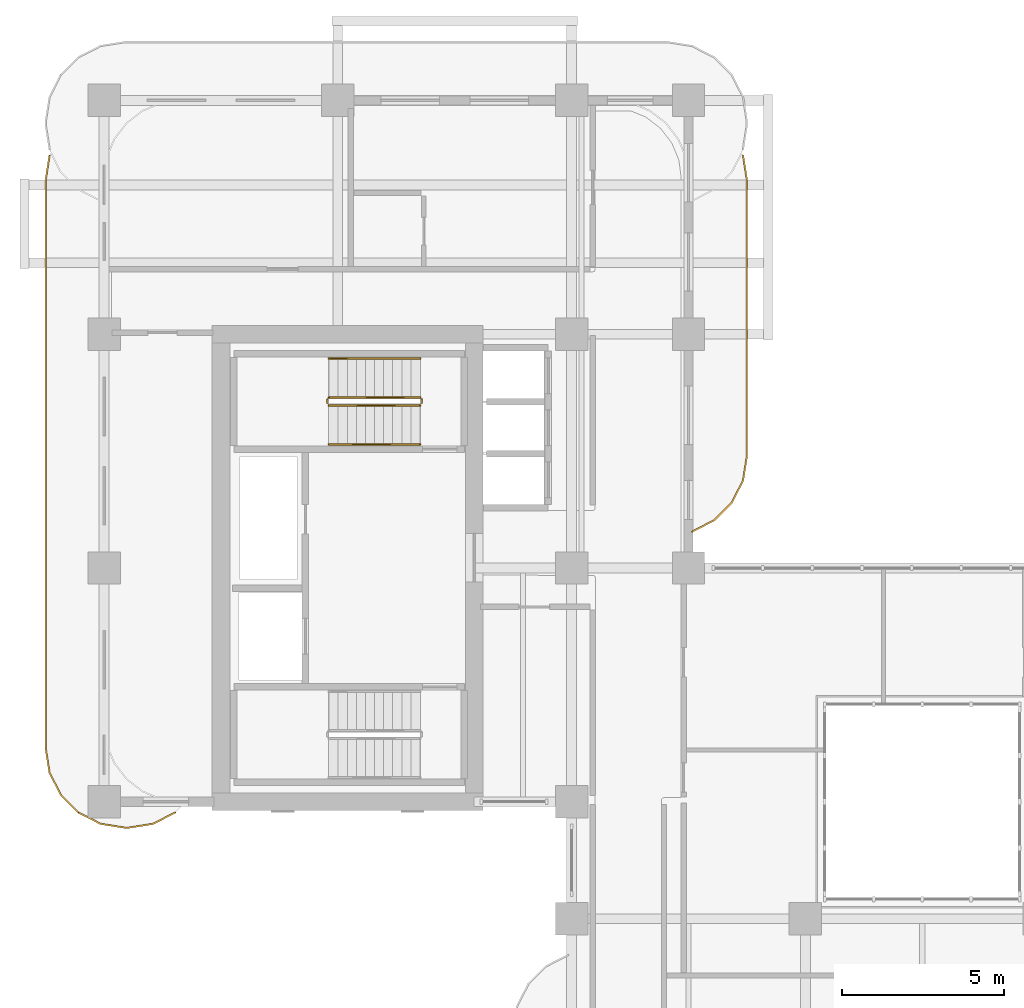
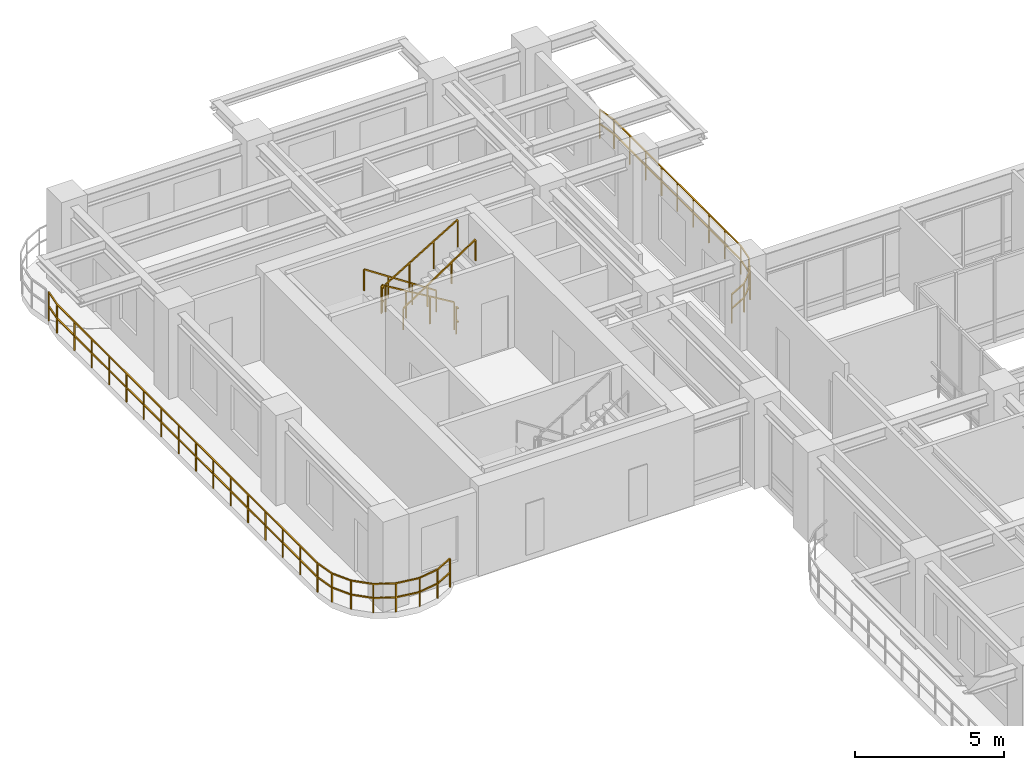
# One storey, part 20 of 21: 8 railings.
"""IFC4 building model written with IfcOpenShell, lengths in metres."""

from ifc_helpers import new_model, si_unit, derived_unit, direction, frame, origin, origin_2d, place, context, subcontext, project, spatial, rectangle, extrude, material, type_object, element, save


model = new_model("IFC4")

# Units and contexts
model_context = context("Model", 3, precision=1e-05, world=origin(), true_north=direction((0.0, 1.0)))
body_context = subcontext(model_context, "Body", "Model", "MODEL_VIEW")
ifc_project = project(units=[si_unit("LENGTHUNIT", "METRE"), si_unit("AREAUNIT", "SQUARE_METRE"), si_unit("VOLUMEUNIT", "CUBIC_METRE"), si_unit("PLANEANGLEUNIT", "RADIAN"), si_unit("MASSUNIT", "GRAM", prefix="KILO"), si_unit("THERMODYNAMICTEMPERATUREUNIT", "KELVIN"), si_unit("POWERUNIT", "WATT"), derived_unit("THERMALTRANSMITTANCEUNIT", [(si_unit("POWERUNIT", "WATT"), 1), (si_unit("AREAUNIT", "SQUARE_METRE"), -1), (si_unit("THERMODYNAMICTEMPERATUREUNIT", "KELVIN"), -1)])], contexts=[model_context])

# Site, building, storey
site_placement = place(None, origin())
site = spatial("IfcSite", under=ifc_project, at=site_placement, CompositionType="ELEMENT")
building_placement = place(site_placement, origin())
building = spatial("IfcBuilding", under=site, at=building_placement, Name="Zahravan Archway Hotel and Residences", CompositionType="ELEMENT")
storey_placement = place(building_placement, frame((0.0, 0.0, 141.39990234375)))
storey = spatial("IfcBuildingStorey", under=building, at=storey_placement, Name="L35", CompositionType="ELEMENT", Elevation=141.39990234375)

# Railings
ifc_material_1 = material(Name="Bronze & Laminated Glass Balustrade", Category="glass")
railing_type_1 = type_object("IfcRailingType", Name="RL-BAL-1200", PredefinedType="BALUSTRADE", material=ifc_material_1)
railing_1_placement = place(storey_placement, frame((2.190185546875, 24.867919921875, 0.0)))
element("IfcRailing", 1, at=railing_1_placement, inside=storey, type_object=railing_type_1, Name="L35 Balustrade RL-SLB-BAL-L35-WB-1", PredefinedType="BALUSTRADE", context=body_context, shape_type="SweptSolid", body=[
    extrude(rectangle(XDim=0.048095703125, YDim=0.048095703125, at=origin_2d()), frame((0.0, 0.0, 1.17578125), z_axis=(-0.891090529897, -0.453825591531, 0.0), x_axis=(0.453825591531, -0.891090529897, 0.0)), (0.0, 0.0, 1.0), 0.7666015625),
    extrude(rectangle(XDim=0.048095703125, YDim=0.048095703125, at=origin_2d()), frame((0.0, 0.0, 0.60009765625), z_axis=(-0.891090529897, -0.453825591531, 0.0), x_axis=(0.453825591531, -0.891090529897, 0.0)), (0.0, 0.0, 1.0), 0.7666015625),
    extrude(rectangle(XDim=0.048095703125, YDim=0.048095703125, at=origin_2d()), frame((-0.68310546875, -0.347900390625, 1.17578125), z_axis=(-0.987646484274, -0.156698507018, 0.0), x_axis=(0.156698507018, -0.987646484274, 0.0)), (0.0, 0.0, 1.0), 0.7666015625),
    extrude(rectangle(XDim=0.048095703125, YDim=0.048095703125, at=origin_2d()), frame((-0.68310546875, -0.347900390625, 0.60009765625), z_axis=(-0.987646484274, -0.156698507018, 0.0), x_axis=(0.156698507018, -0.987646484274, 0.0)), (0.0, 0.0, 1.0), 0.7666015625),
    extrude(rectangle(XDim=0.048095703125, YDim=0.048095703125, at=origin_2d()), frame((-1.440185546875, -0.468017578125, 1.17578125), z_axis=(-1.0, 0.0, 0.0), x_axis=(0.0, -1.0, 0.0)), (0.0, 0.0, 1.0), 0.10009765625),
    extrude(rectangle(XDim=0.048095703125, YDim=0.048095703125, at=origin_2d()), frame((-1.440185546875, -0.468017578125, 0.60009765625), z_axis=(-1.0, 0.0, 0.0), x_axis=(0.0, -1.0, 0.0)), (0.0, 0.0, 1.0), 0.10009765625),
    extrude(rectangle(XDim=0.048095703125, YDim=0.048095703125, at=origin_2d()), frame((-1.540283203125, -0.468017578125, 1.17578125), z_axis=(-0.987646484274, 0.156698507018, 0.0), x_axis=(-0.156698507018, -0.987646484274, 0.0)), (0.0, 0.0, 1.0), 0.7666015625),
    extrude(rectangle(XDim=0.048095703125, YDim=0.048095703125, at=origin_2d()), frame((-1.540283203125, -0.468017578125, 0.60009765625), z_axis=(-0.987646484274, 0.156698507018, 0.0), x_axis=(-0.156698507018, -0.987646484274, 0.0)), (0.0, 0.0, 1.0), 0.7666015625),
    extrude(rectangle(XDim=0.048095703125, YDim=0.048095703125, at=origin_2d()), frame((-2.29736328125, -0.347900390625, 1.17578125), z_axis=(-0.891024909783, 0.453954414172, 0.0), x_axis=(-0.453954414172, -0.891024909783, 0.0)), (0.0, 0.0, 1.0), 0.766357421875),
    extrude(rectangle(XDim=0.048095703125, YDim=0.048095703125, at=origin_2d()), frame((-2.29736328125, -0.347900390625, 0.60009765625), z_axis=(-0.891024909783, 0.453954414172, 0.0), x_axis=(-0.453954414172, -0.891024909783, 0.0)), (0.0, 0.0, 1.0), 0.766357421875),
    extrude(rectangle(XDim=0.048095703125, YDim=0.048095703125, at=origin_2d()), frame((-2.980224609375, 0.0, 1.17578125), z_axis=(-0.707106781187, 0.707106781187, 0.0), x_axis=(-0.707106781187, -0.707106781187, 0.0)), (0.0, 0.0, 1.0), 0.7666015625),
    extrude(rectangle(XDim=0.048095703125, YDim=0.048095703125, at=origin_2d()), frame((-2.980224609375, 0.0, 0.60009765625), z_axis=(-0.707106781187, 0.707106781187, 0.0), x_axis=(-0.707106781187, -0.707106781187, 0.0)), (0.0, 0.0, 1.0), 0.7666015625),
    extrude(rectangle(XDim=0.048095703125, YDim=0.048095703125, at=origin_2d()), frame((-3.522216796875, 0.5419921875, 1.17578125), z_axis=(-0.454078418624, 0.890961721815, 0.0), x_axis=(-0.890961721815, -0.454078418624, 0.0)), (0.0, 0.0, 1.0), 0.7666015625),
    extrude(rectangle(XDim=0.048095703125, YDim=0.048095703125, at=origin_2d()), frame((-3.522216796875, 0.5419921875, 0.60009765625), z_axis=(-0.454078418624, 0.890961721815, 0.0), x_axis=(-0.890961721815, -0.454078418624, 0.0)), (0.0, 0.0, 1.0), 0.7666015625),
    extrude(rectangle(XDim=0.048095703125, YDim=0.048095703125, at=origin_2d()), frame((-3.870361328125, 1.22509765625, 1.17578125), z_axis=(-0.156387811283, 0.987695728695, 0.0), x_axis=(-0.987695728695, -0.156387811283, 0.0)), (0.0, 0.0, 1.0), 0.7666015625),
    extrude(rectangle(XDim=0.048095703125, YDim=0.048095703125, at=origin_2d()), frame((-3.870361328125, 1.22509765625, 0.60009765625), z_axis=(-0.156387811283, 0.987695728695, 0.0), x_axis=(-0.987695728695, -0.156387811283, 0.0)), (0.0, 0.0, 1.0), 0.7666015625),
    extrude(rectangle(XDim=0.048095703125, YDim=0.048095703125, at=origin_2d()), frame((-3.990234375, 1.982177734375, 1.17578125), z_axis=(0.0, 1.0, 0.0), x_axis=(-1.0, 0.0, 0.0)), (0.0, 0.0, 1.0), 17.5),
    extrude(rectangle(XDim=0.048095703125, YDim=0.048095703125, at=origin_2d()), frame((-3.990234375, 1.982177734375, 0.60009765625), z_axis=(0.0, 1.0, 0.0), x_axis=(-1.0, 0.0, 0.0)), (0.0, 0.0, 1.0), 17.5),
    extrude(rectangle(XDim=0.048095703125, YDim=0.048095703125, at=origin_2d()), frame((-3.990234375, 19.482177734375, 1.17578125), z_axis=(0.156387811283, 0.987695728695, 0.0), x_axis=(-0.987695728695, 0.156387811283, 0.0)), (0.0, 0.0, 1.0), 0.7666015625),
    extrude(rectangle(XDim=0.048095703125, YDim=0.048095703125, at=origin_2d()), frame((-3.990234375, 19.482177734375, 0.60009765625), z_axis=(0.156387811283, 0.987695728695, 0.0), x_axis=(-0.987695728695, 0.156387811283, 0.0)), (0.0, 0.0, 1.0), 0.7666015625),
    extrude(rectangle(XDim=0.0419921875, YDim=0.0419921875, at=origin_2d()), origin(), (0.0, 0.0, 1.0), 1.15185546875),
    extrude(rectangle(XDim=0.0419921875, YDim=0.0419921875, at=origin_2d()), frame((-0.68310546875, -0.347900390625, 0.0)), (0.0, 0.0, 1.0), 1.15185546875),
    extrude(rectangle(XDim=0.0419921875, YDim=0.0419921875, at=origin_2d()), frame((-1.440185546875, -0.468017578125, 0.0)), (0.0, 0.0, 1.0), 1.15185546875),
    extrude(rectangle(XDim=0.0419921875, YDim=0.0419921875, at=origin_2d()), frame((-2.29736328125, -0.347900390625, 0.0)), (0.0, 0.0, 1.0), 1.15185546875),
    extrude(rectangle(XDim=0.0419921875, YDim=0.0419921875, at=origin_2d()), frame((-2.980224609375, 0.0, 0.0)), (0.0, 0.0, 1.0), 1.15185546875),
    extrude(rectangle(XDim=0.0419921875, YDim=0.0419921875, at=origin_2d()), frame((-3.522216796875, 0.5419921875, 0.0)), (0.0, 0.0, 1.0), 1.15185546875),
    extrude(rectangle(XDim=0.0419921875, YDim=0.0419921875, at=origin_2d()), frame((-3.870361328125, 1.22509765625, 0.0)), (0.0, 0.0, 1.0), 1.15185546875),
    extrude(rectangle(XDim=0.0419921875, YDim=0.0419921875, at=origin_2d()), frame((-3.990234375, 1.982177734375, 0.0)), (0.0, 0.0, 1.0), 1.15185546875),
    extrude(rectangle(XDim=0.0419921875, YDim=0.0419921875, at=origin_2d()), frame((-3.990234375, 3.14892578125, 0.0)), (0.0, 0.0, 1.0), 1.15185546875),
    extrude(rectangle(XDim=0.0419921875, YDim=0.0419921875, at=origin_2d()), frame((-3.990234375, 4.3154296875, 0.0)), (0.0, 0.0, 1.0), 1.15185546875),
    extrude(rectangle(XDim=0.0419921875, YDim=0.0419921875, at=origin_2d()), frame((-3.990234375, 5.482177734375, 0.0)), (0.0, 0.0, 1.0), 1.15185546875),
    extrude(rectangle(XDim=0.0419921875, YDim=0.0419921875, at=origin_2d()), frame((-3.990234375, 6.64892578125, 0.0)), (0.0, 0.0, 1.0), 1.15185546875),
    extrude(rectangle(XDim=0.0419921875, YDim=0.0419921875, at=origin_2d()), frame((-3.990234375, 7.8154296875, 0.0)), (0.0, 0.0, 1.0), 1.15185546875),
    extrude(rectangle(XDim=0.0419921875, YDim=0.0419921875, at=origin_2d()), frame((-3.990234375, 8.982177734375, 0.0)), (0.0, 0.0, 1.0), 1.15185546875),
    extrude(rectangle(XDim=0.0419921875, YDim=0.0419921875, at=origin_2d()), frame((-3.990234375, 10.14892578125, 0.0)), (0.0, 0.0, 1.0), 1.15185546875),
    extrude(rectangle(XDim=0.0419921875, YDim=0.0419921875, at=origin_2d()), frame((-3.990234375, 11.3154296875, 0.0)), (0.0, 0.0, 1.0), 1.15185546875),
    extrude(rectangle(XDim=0.0419921875, YDim=0.0419921875, at=origin_2d()), frame((-3.990234375, 12.482177734375, 0.0)), (0.0, 0.0, 1.0), 1.15185546875),
    extrude(rectangle(XDim=0.0419921875, YDim=0.0419921875, at=origin_2d()), frame((-3.990234375, 13.64892578125, 0.0)), (0.0, 0.0, 1.0), 1.15185546875),
    extrude(rectangle(XDim=0.0419921875, YDim=0.0419921875, at=origin_2d()), frame((-3.990234375, 14.8154296875, 0.0)), (0.0, 0.0, 1.0), 1.15185546875),
    extrude(rectangle(XDim=0.0419921875, YDim=0.0419921875, at=origin_2d()), frame((-3.990234375, 15.982177734375, 0.0)), (0.0, 0.0, 1.0), 1.15185546875),
    extrude(rectangle(XDim=0.0419921875, YDim=0.0419921875, at=origin_2d()), frame((-3.990234375, 17.14892578125, 0.0)), (0.0, 0.0, 1.0), 1.15185546875),
    extrude(rectangle(XDim=0.0419921875, YDim=0.0419921875, at=origin_2d()), frame((-3.990234375, 18.3154296875, 0.0)), (0.0, 0.0, 1.0), 1.15185546875),
    extrude(rectangle(XDim=0.0419921875, YDim=0.0419921875, at=origin_2d()), frame((-3.990234375, 19.482177734375, 0.0)), (0.0, 0.0, 1.0), 1.15185546875),
    extrude(rectangle(XDim=0.0419921875, YDim=0.0419921875, at=origin_2d()), frame((-3.870361328125, 20.2392578125, 0.0)), (0.0, 0.0, 1.0), 1.15185546875),
])
railing_2_placement = place(storey_placement, frame((19.68017578125, 45.107177734375, 0.0)))
element("IfcRailing", 2, at=railing_2_placement, inside=storey, type_object=railing_type_1, Name="L35 Balustrade RL-SLB-BAL-L35-EB-1", PredefinedType="BALUSTRADE", context=body_context, shape_type="SweptSolid", body=[
    extrude(rectangle(XDim=0.048095703125, YDim=0.048095703125, at=origin_2d()), frame((0.0, 0.0, 1.17578125), z_axis=(0.156387811283, -0.987695728695, 0.0), x_axis=(0.987695728695, 0.156387811283, 0.0)), (0.0, 0.0, 1.0), 0.7666015625),
    extrude(rectangle(XDim=0.048095703125, YDim=0.048095703125, at=origin_2d()), frame((0.0, 0.0, 0.60009765625), z_axis=(0.156387811283, -0.987695728695, 0.0), x_axis=(0.987695728695, 0.156387811283, 0.0)), (0.0, 0.0, 1.0), 0.7666015625),
    extrude(rectangle(XDim=0.048095703125, YDim=0.048095703125, at=origin_2d()), frame((0.119873046875, -0.757080078125, 1.17578125), z_axis=(0.0, -1.0, 0.0), x_axis=(1.0, 0.0, 0.0)), (0.0, 0.0, 1.0), 8.5),
    extrude(rectangle(XDim=0.048095703125, YDim=0.048095703125, at=origin_2d()), frame((0.119873046875, -0.757080078125, 0.60009765625), z_axis=(0.0, -1.0, 0.0), x_axis=(1.0, 0.0, 0.0)), (0.0, 0.0, 1.0), 8.5),
    extrude(rectangle(XDim=0.048095703125, YDim=0.048095703125, at=origin_2d()), frame((0.119873046875, -9.257080078125, 1.17578125), z_axis=(-0.156387811283, -0.987695728695, 0.0), x_axis=(0.987695728695, -0.156387811283, 0.0)), (0.0, 0.0, 1.0), 0.7666015625),
    extrude(rectangle(XDim=0.048095703125, YDim=0.048095703125, at=origin_2d()), frame((0.119873046875, -9.257080078125, 0.60009765625), z_axis=(-0.156387811283, -0.987695728695, 0.0), x_axis=(0.987695728695, -0.156387811283, 0.0)), (0.0, 0.0, 1.0), 0.7666015625),
    extrude(rectangle(XDim=0.048095703125, YDim=0.048095703125, at=origin_2d()), frame((0.0, -10.01416015625, 1.17578125), z_axis=(-0.454078418624, -0.890961721815, 0.0), x_axis=(0.890961721815, -0.454078418624, 0.0)), (0.0, 0.0, 1.0), 0.7666015625),
    extrude(rectangle(XDim=0.048095703125, YDim=0.048095703125, at=origin_2d()), frame((0.0, -10.01416015625, 0.60009765625), z_axis=(-0.454078418624, -0.890961721815, 0.0), x_axis=(0.890961721815, -0.454078418624, 0.0)), (0.0, 0.0, 1.0), 0.7666015625),
    extrude(rectangle(XDim=0.048095703125, YDim=0.048095703125, at=origin_2d()), frame((-0.34814453125, -10.697265625, 1.17578125), z_axis=(-0.707106781187, -0.707106781187, 0.0), x_axis=(0.707106781187, -0.707106781187, 0.0)), (0.0, 0.0, 1.0), 0.7666015625),
    extrude(rectangle(XDim=0.048095703125, YDim=0.048095703125, at=origin_2d()), frame((-0.34814453125, -10.697265625, 0.60009765625), z_axis=(-0.707106781187, -0.707106781187, 0.0), x_axis=(0.707106781187, -0.707106781187, 0.0)), (0.0, 0.0, 1.0), 0.7666015625),
    extrude(rectangle(XDim=0.048095703125, YDim=0.048095703125, at=origin_2d()), frame((-0.89013671875, -11.2392578125, 1.17578125), z_axis=(-0.891024909783, -0.453954414172, 0.0), x_axis=(0.453954414172, -0.891024909783, 0.0)), (0.0, 0.0, 1.0), 0.766357421875),
    extrude(rectangle(XDim=0.048095703125, YDim=0.048095703125, at=origin_2d()), frame((-0.89013671875, -11.2392578125, 0.60009765625), z_axis=(-0.891024909783, -0.453954414172, 0.0), x_axis=(0.453954414172, -0.891024909783, 0.0)), (0.0, 0.0, 1.0), 0.766357421875),
    extrude(rectangle(XDim=0.0419921875, YDim=0.0419921875, at=origin_2d()), origin(), (0.0, 0.0, 1.0), 1.15185546875),
    extrude(rectangle(XDim=0.0419921875, YDim=0.0419921875, at=origin_2d()), frame((0.119873046875, -0.757080078125, 0.0)), (0.0, 0.0, 1.0), 1.15185546875),
    extrude(rectangle(XDim=0.0419921875, YDim=0.0419921875, at=origin_2d()), frame((0.119873046875, -1.819580078125, 0.0)), (0.0, 0.0, 1.0), 1.15185546875),
    extrude(rectangle(XDim=0.0419921875, YDim=0.0419921875, at=origin_2d()), frame((0.119873046875, -2.882080078125, 0.0)), (0.0, 0.0, 1.0), 1.15185546875),
    extrude(rectangle(XDim=0.0419921875, YDim=0.0419921875, at=origin_2d()), frame((0.119873046875, -3.944580078125, 0.0)), (0.0, 0.0, 1.0), 1.15185546875),
    extrude(rectangle(XDim=0.0419921875, YDim=0.0419921875, at=origin_2d()), frame((0.119873046875, -5.007080078125, 0.0)), (0.0, 0.0, 1.0), 1.15185546875),
    extrude(rectangle(XDim=0.0419921875, YDim=0.0419921875, at=origin_2d()), frame((0.119873046875, -6.069580078125, 0.0)), (0.0, 0.0, 1.0), 1.15185546875),
    extrude(rectangle(XDim=0.0419921875, YDim=0.0419921875, at=origin_2d()), frame((0.119873046875, -7.132080078125, 0.0)), (0.0, 0.0, 1.0), 1.15185546875),
    extrude(rectangle(XDim=0.0419921875, YDim=0.0419921875, at=origin_2d()), frame((0.119873046875, -8.194580078125, 0.0)), (0.0, 0.0, 1.0), 1.15185546875),
    extrude(rectangle(XDim=0.0419921875, YDim=0.0419921875, at=origin_2d()), frame((0.119873046875, -9.257080078125, 0.0)), (0.0, 0.0, 1.0), 1.15185546875),
    extrude(rectangle(XDim=0.0419921875, YDim=0.0419921875, at=origin_2d()), frame((0.0, -10.01416015625, 0.0)), (0.0, 0.0, 1.0), 1.15185546875),
    extrude(rectangle(XDim=0.0419921875, YDim=0.0419921875, at=origin_2d()), frame((-0.34814453125, -10.697265625, 0.0)), (0.0, 0.0, 1.0), 1.15185546875),
    extrude(rectangle(XDim=0.0419921875, YDim=0.0419921875, at=origin_2d()), frame((-0.89013671875, -11.2392578125, 0.0)), (0.0, 0.0, 1.0), 1.15185546875),
    extrude(rectangle(XDim=0.0419921875, YDim=0.0419921875, at=origin_2d()), frame((-1.572998046875, -11.587158203125, 0.0)), (0.0, 0.0, 1.0), 1.15185546875),
])
ifc_material_2 = material(Name="Painted Tubular Steel", Category="steel")
railing_type_2 = type_object("IfcRailingType", Name="RL-STG-1150", PredefinedType="GUARDRAIL", material=ifc_material_2)
railing_3_placement = place(storey_placement, frame((9.72998046875, 37.64990234375, 0.168212890625)))
element("IfcRailing", 3, at=railing_3_placement, inside=storey, type_object=railing_type_2, Name="L35 ST-B2 stair guard 1", PredefinedType="GUARDRAIL", context=body_context, shape_type="SweptSolid", body=[
    extrude(rectangle(XDim=0.048095703125, YDim=0.048095703125, at=origin_2d()), frame((0.0, 0.0, 1.1259765625), z_axis=(-0.857242210791, 0.0, 0.514913383045), x_axis=(0.0, -1.0, 0.0)), (0.0, 0.0, 1.0), 3.266357421875),
    extrude(rectangle(XDim=0.0419921875, YDim=0.0419921875, at=origin_2d()), origin(), (0.0, 0.0, 1.0), 1.101806640625),
    extrude(rectangle(XDim=0.0419921875, YDim=0.0419921875, at=origin_2d()), frame((-0.933349609375, 0.0, 0.560546875)), (0.0, 0.0, 1.0), 1.101806640625),
    extrude(rectangle(XDim=0.0419921875, YDim=0.0419921875, at=origin_2d()), frame((-1.86669921875, 0.0, 1.121337890625)), (0.0, 0.0, 1.0), 1.101806640625),
    extrude(rectangle(XDim=0.0419921875, YDim=0.0419921875, at=origin_2d()), frame((-2.800048828125, 0.0, 1.681884765625)), (0.0, 0.0, 1.0), 1.101806640625),
])
railing_4_placement = place(storey_placement, frame((6.8798828125, 37.60009765625, 1.85009765625)))
element("IfcRailing", 4, at=railing_4_placement, inside=storey, type_object=railing_type_2, Name="L35 ST-B2 stair guard 2", PredefinedType="GUARDRAIL", context=body_context, shape_type="SweptSolid", body=[
    extrude(rectangle(XDim=0.048095703125, YDim=0.048095703125, at=origin_2d()), frame((0.0, 0.0, 1.1259765625), z_axis=(0.0, -1.0, 0.0), x_axis=(1.0, 0.0, 0.0)), (0.0, 0.0, 1.0), 0.14013671875),
    extrude(rectangle(XDim=0.048095703125, YDim=0.048095703125, at=origin_2d()), frame((0.0, 0.0, 0.574951171875), z_axis=(0.0, -1.0, 0.0), x_axis=(1.0, 0.0, 0.0)), (0.0, 0.0, 1.0), 0.14013671875),
    extrude(rectangle(XDim=0.0419921875, YDim=0.0419921875, at=origin_2d()), origin(), (0.0, 0.0, 1.0), 1.101806640625),
])
railing_5_placement = place(storey_placement, frame((6.929931640625, 37.409912109375, 2.018310546875)))
element("IfcRailing", 5, at=railing_5_placement, inside=storey, type_object=railing_type_2, Name="L35 ST-B2 stair guard 3", PredefinedType="GUARDRAIL", context=body_context, shape_type="SweptSolid", body=[
    extrude(rectangle(XDim=0.048095703125, YDim=0.048095703125, at=origin_2d()), frame((0.0, 0.0, 1.1259765625), z_axis=(0.857242210791, 0.0, 0.514913383045), x_axis=(0.0, 1.0, 0.0)), (0.0, 0.0, 1.0), 3.266357421875),
    extrude(rectangle(XDim=0.0419921875, YDim=0.0419921875, at=origin_2d()), origin(), (0.0, 0.0, 1.0), 1.101806640625),
    extrude(rectangle(XDim=0.0419921875, YDim=0.0419921875, at=origin_2d()), frame((0.933349609375, 0.0, 0.560546875)), (0.0, 0.0, 1.0), 1.101806640625),
    extrude(rectangle(XDim=0.0419921875, YDim=0.0419921875, at=origin_2d()), frame((1.86669921875, 0.0, 1.121337890625)), (0.0, 0.0, 1.0), 1.101806640625),
    extrude(rectangle(XDim=0.0419921875, YDim=0.0419921875, at=origin_2d()), frame((2.800048828125, 0.0, 1.681884765625)), (0.0, 0.0, 1.0), 1.101806640625),
])
railing_6_placement = place(storey_placement, frame((9.780029296875, 37.60009765625, 0.0)))
element("IfcRailing", 6, at=railing_6_placement, inside=storey, type_object=railing_type_2, Name="L35 ST-B2 stair guard 4", PredefinedType="GUARDRAIL", context=body_context, shape_type="SweptSolid", body=[
    extrude(rectangle(XDim=0.048095703125, YDim=0.048095703125, at=origin_2d()), frame((0.0, 0.0, 1.1259765625), z_axis=(0.0, -1.0, 0.0), x_axis=(1.0, 0.0, 0.0)), (0.0, 0.0, 1.0), 0.14013671875),
    extrude(rectangle(XDim=0.048095703125, YDim=0.048095703125, at=origin_2d()), frame((0.0, 0.0, 0.574951171875), z_axis=(0.0, -1.0, 0.0), x_axis=(1.0, 0.0, 0.0)), (0.0, 0.0, 1.0), 0.14013671875),
    extrude(rectangle(XDim=0.0419921875, YDim=0.0419921875, at=origin_2d()), origin(), (0.0, 0.0, 1.0), 1.101806640625),
])
ifc_material_3 = material(Name="Brushed Stainless Steel", Category="steel")
railing_type_3 = type_object("IfcRailingType", Name="RL-STH-900", PredefinedType="HANDRAIL", material=ifc_material_3)
railing_7_placement = place(storey_placement, frame((9.72998046875, 38.85009765625, 0.168212890625)))
element("IfcRailing", 7, at=railing_7_placement, inside=storey, type_object=railing_type_3, Name="L35 ST-B2 stair handrail 1", PredefinedType="HANDRAIL", context=body_context, shape_type="SweptSolid", body=[
    extrude(rectangle(XDim=0.048095703125, YDim=0.048095703125, at=origin_2d()), frame((0.0, 0.0, 0.8759765625), z_axis=(-0.834326358476, 0.0, 0.551270829586), x_axis=(0.0, -1.0, 0.0)), (0.0, 0.0, 1.0), 3.35595703125),
    extrude(rectangle(XDim=0.0419921875, YDim=0.0419921875, at=origin_2d()), origin(), (0.0, 0.0, 1.0), 0.851806640625),
    extrude(rectangle(XDim=0.0419921875, YDim=0.0419921875, at=origin_2d()), frame((-0.933349609375, 0.0, 0.61669921875)), (0.0, 0.0, 1.0), 0.851806640625),
    extrude(rectangle(XDim=0.0419921875, YDim=0.0419921875, at=origin_2d()), frame((-1.86669921875, 0.0, 1.2333984375)), (0.0, 0.0, 1.0), 0.851806640625),
    extrude(rectangle(XDim=0.0419921875, YDim=0.0419921875, at=origin_2d()), frame((-2.800048828125, 0.0, 1.85009765625)), (0.0, 0.0, 1.0), 0.851806640625),
])
railing_8_placement = place(storey_placement, frame((6.929931640625, 36.2099609375, 2.018310546875)))
element("IfcRailing", 8, at=railing_8_placement, inside=storey, type_object=railing_type_3, Name="L35 ST-B2 stair handrail 2", PredefinedType="HANDRAIL", context=body_context, shape_type="SweptSolid", body=[
    extrude(rectangle(XDim=0.048095703125, YDim=0.048095703125, at=origin_2d()), frame((0.0, 0.0, 0.8759765625), z_axis=(0.83435981716, 0.0, 0.551220187865), x_axis=(0.0, 1.0, 0.0)), (0.0, 0.0, 1.0), 3.35595703125),
    extrude(rectangle(XDim=0.0419921875, YDim=0.0419921875, at=origin_2d()), origin(), (0.0, 0.0, 1.0), 0.851806640625),
    extrude(rectangle(XDim=0.0419921875, YDim=0.0419921875, at=origin_2d()), frame((0.933349609375, 0.0, 0.61669921875)), (0.0, 0.0, 1.0), 0.851806640625),
    extrude(rectangle(XDim=0.0419921875, YDim=0.0419921875, at=origin_2d()), frame((1.86669921875, 0.0, 1.233154296875)), (0.0, 0.0, 1.0), 0.851806640625),
    extrude(rectangle(XDim=0.0419921875, YDim=0.0419921875, at=origin_2d()), frame((2.800048828125, 0.0, 1.849853515625)), (0.0, 0.0, 1.0), 0.851806640625),
])

save(model, "model.ifc")
